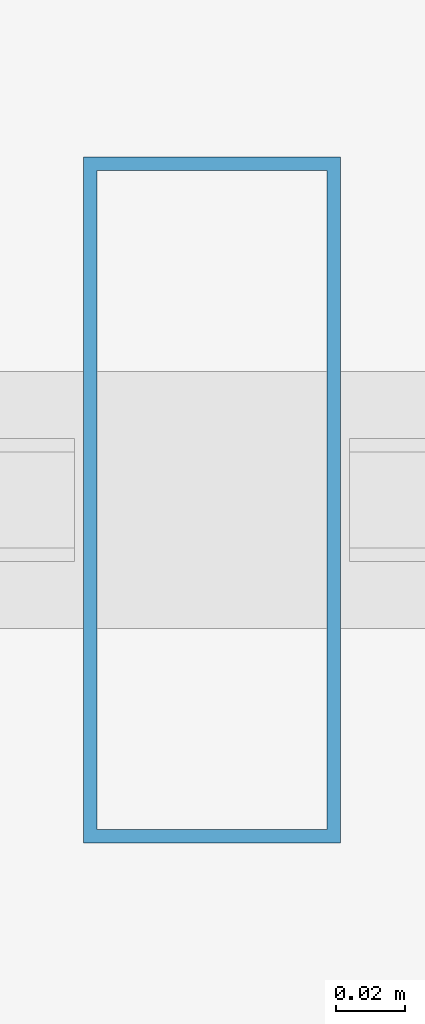
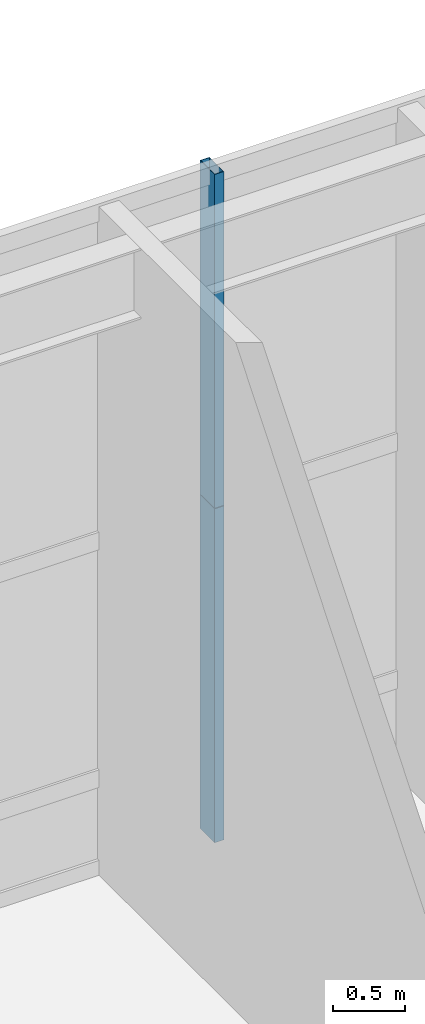
# One storey, part 25 of 39: 2 members, 1 element without a shape of its own.
"""IFC4 building model written with IfcOpenShell, lengths in metres."""

from ifc_helpers import new_model, si_unit, direction, frame, origin, origin_2d, place, context, subcontext, project, spatial, hollow_rectangle, extrude, source, transform, mapped, material, layer, layer_set, material_profile, profile_set, type_object, element, aggregate, save


model = new_model("IFC4")

# Units and contexts
model_context = context("Model", 3, precision=1e-05, world=origin(), true_north=direction((0.0, 1.0)))
body_context = subcontext(model_context, "Body", "Model", "MODEL_VIEW")
ifc_project = project(units=[si_unit("LENGTHUNIT", "METRE"), si_unit("AREAUNIT", "SQUARE_METRE"), si_unit("VOLUMEUNIT", "CUBIC_METRE"), si_unit("PLANEANGLEUNIT", "RADIAN"), si_unit("MASSUNIT", "GRAM", prefix="KILO"), si_unit("THERMODYNAMICTEMPERATUREUNIT", "KELVIN"), si_unit("POWERUNIT", "WATT")], contexts=[model_context])

# Site, building, storey
site_placement = place(None, origin())
site = spatial("IfcSite", under=ifc_project, at=site_placement, CompositionType="ELEMENT")
building_placement = place(site_placement, origin())
building = spatial("IfcBuilding", under=site, at=building_placement, Name="Yuzanri Waterfront Tower", CompositionType="ELEMENT")
storey_placement = place(building_placement, frame((0.0, 0.0, 19.800048828125)))
storey = spatial("IfcBuildingStorey", under=building, at=storey_placement, Name="L05", CompositionType="ELEMENT", Elevation=19.800048828125)

# Curtain wall, members
ifc_material_1 = material(Name="Anodized Architectural Bronze", Category="metal")
ifc_layer = layer(ifc_material_1, 0.159912109375)
ifc_layer_set = layer_set([ifc_layer], Name="Anodized Architectural Bronze")
curtain_wall_type = type_object("IfcCurtainWallType", Name="Anodized Bronze Podium Waterfront Double-Height Unitized Curtain Wall 8400", PredefinedType="NOTDEFINED", material=ifc_layer_set)
curtain_wall_placement = place(storey_placement, origin())
curtain_wall = element("IfcCurtainWall", 1, at=curtain_wall_placement, inside=storey, type_object=curtain_wall_type, Name="L05 Curtain Wall CW-L05-N2", PredefinedType="NOTDEFINED")
ifc_material_2 = material(Name="Anodized Architectural Bronze", Category="metal")
ifc_material_profile = material_profile(ifc_material_2, hollow_rectangle(XDim=0.074951171875, YDim=0.199951171875, WallThickness=0.00390625, at=origin_2d()), Name="CWM 75x200")
ifc_profile_set = profile_set([ifc_material_profile], Name="Anodized Architectural Bronze")
member_type = type_object("IfcMemberType", Name="Anodized Bronze Primary Curtain-Wall Mullion 75x200", PredefinedType="MULLION", material=ifc_profile_set)
shared_shape = source(origin(), body_context, "Body", "SweptSolid", [
    extrude(hollow_rectangle(XDim=0.074951171875, YDim=0.199951171875, WallThickness=0.00390625, at=origin_2d()), origin(), (0.0, 0.0, 1.0), 2.837890625),
])
member_1_placement = place(storey_placement, frame((47.75, 49.6201171875, 0.0), z_axis=(0.0, 0.0, 1.0), x_axis=(1.0, 0.0, 0.0)))
member_1 = element("IfcMember", 2, at=member_1_placement, type_object=member_type, Name="CW-L05-N2 Lower Mullion 01", PredefinedType="MULLION", context=body_context, shape_type="MappedRepresentation", body=[
    mapped(shared_shape, transform((0.0, 0.0, 0.0), scale=1.0)),
])
member_2_placement = place(storey_placement, frame((47.75, 49.6201171875, 2.842041015625), z_axis=(0.0, 0.0, 1.0), x_axis=(1.0, 0.0, 0.0)))
member_2 = element("IfcMember", 3, at=member_2_placement, type_object=member_type, Name="CW-L05-N2 Upper Mullion 01", PredefinedType="MULLION", context=body_context, shape_type="MappedRepresentation", body=[
    mapped(shared_shape, transform((0.0, 0.0, 0.0), scale=1.0)),
])
aggregate(curtain_wall, [member_1, member_2])

save(model, "model.ifc")
